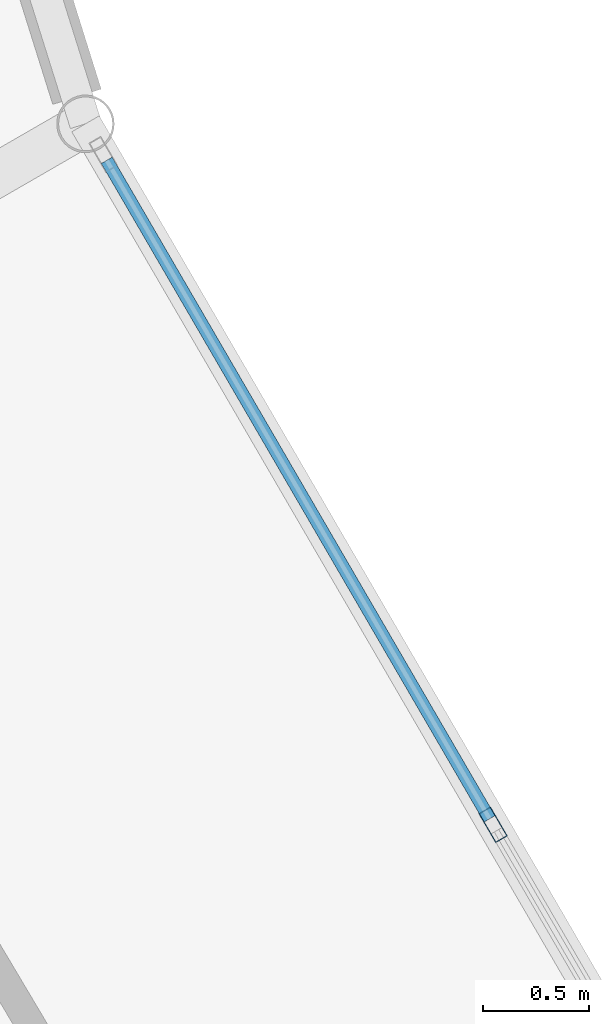
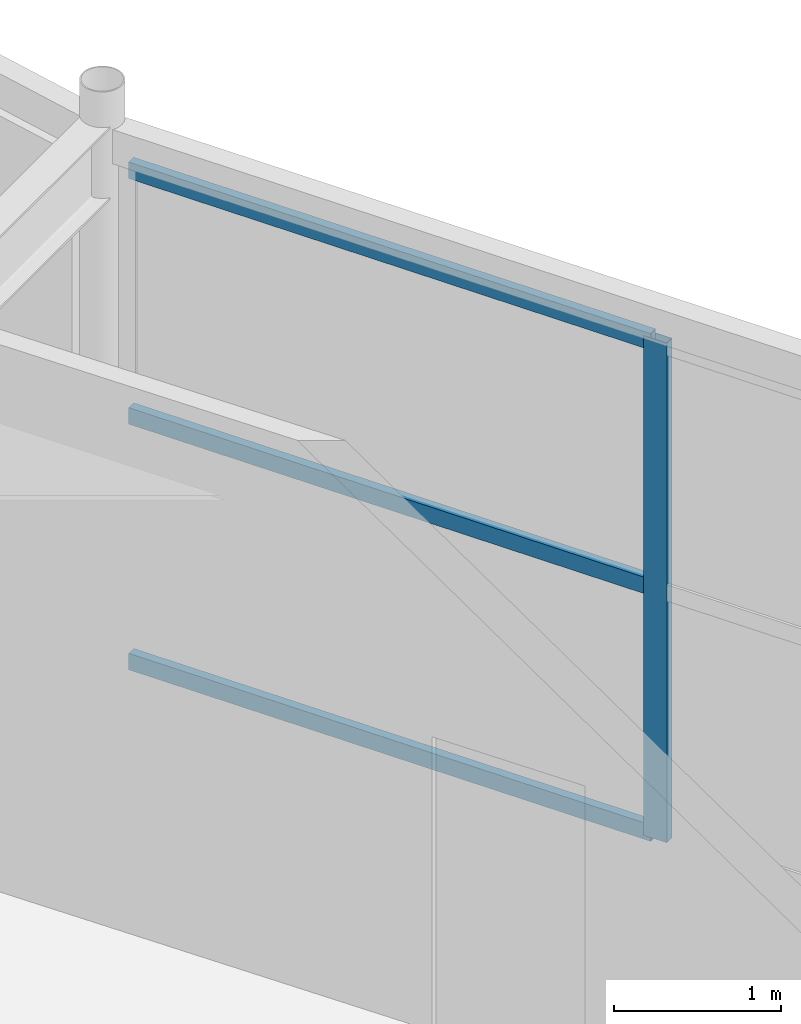
# One storey, part 28 of 147: 4 members, 1 element without a shape of its own.
"""IFC4 building model written with IfcOpenShell, lengths in metres."""

from ifc_helpers import new_model, si_unit, direction, frame, origin, origin_2d, place, context, subcontext, project, spatial, hollow_rectangle, extrude, material, material_profile, profile_set, type_object, element, aggregate, save


model = new_model("IFC4")

# Units and contexts
model_context = context("Model", 3, precision=1e-05, world=origin(), true_north=direction((0.0, 1.0)))
body_context = subcontext(model_context, "Body", "Model", "MODEL_VIEW")
ifc_project = project(units=[si_unit("LENGTHUNIT", "METRE"), si_unit("AREAUNIT", "SQUARE_METRE"), si_unit("VOLUMEUNIT", "CUBIC_METRE"), si_unit("PLANEANGLEUNIT", "RADIAN"), si_unit("MASSUNIT", "GRAM", prefix="KILO")], contexts=[model_context])

# Site, building, storey
site_placement = place(None, origin())
site = spatial("IfcSite", under=ifc_project, at=site_placement, CompositionType="ELEMENT")
building_placement = place(site_placement, origin())
building = spatial("IfcBuilding", under=site, at=building_placement, Name="Karori Crest Natural Sciences Institute", CompositionType="ELEMENT")
storey_placement = place(building_placement, frame((0.0, 0.0, 9.10009765625)))
storey = spatial("IfcBuildingStorey", under=building, at=storey_placement, Name="L02", CompositionType="ELEMENT", Elevation=9.10009765625)

# Curtain wall, members
ifc_material = material(Name="Anodised architectural aluminium 6063-T6", Category="aluminium")
curtain_wall_type = type_object("IfcCurtainWallType", Name="CWT-15", PredefinedType="NOTDEFINED", material=ifc_material)
curtain_wall_placement = place(storey_placement, origin())
curtain_wall = element("IfcCurtainWall", 1, at=curtain_wall_placement, inside=storey, type_object=curtain_wall_type, Name="Curtain wall CW-0086", PredefinedType="NOTDEFINED")
ifc_material_profile_1 = material_profile(ifc_material, hollow_rectangle(XDim=0.06494140625, YDim=0.159912109375, WallThickness=0.00390625, at=origin_2d()), Name="CWM160x65x4")
ifc_profile_set_1 = profile_set([ifc_material_profile_1], Name="Anodised architectural aluminium 6063-T6")
member_type_1 = type_object("IfcMemberType", Name="CWM-01", PredefinedType="MULLION", material=ifc_profile_set_1)
member_1_placement = place(storey_placement, frame((47.1962890625, 30.4853515625, 0.0), z_axis=(0.0, 0.0, 1.0), x_axis=(0.864484379326, 0.502659683982, 0.0)))
member_1 = element("IfcMember", 2, at=member_1_placement, type_object=member_type_1, Name="CW-0086 mullion 2", PredefinedType="MULLION", context=body_context, shape_type="SweptSolid", body=[
    extrude(hollow_rectangle(XDim=0.06494140625, YDim=0.159912109375, WallThickness=0.00390625, at=origin_2d()), origin(), (0.0, 0.0, 1.0), 3.64990234375),
])
ifc_material_profile_2 = material_profile(ifc_material, hollow_rectangle(XDim=0.06005859375, YDim=0.1201171875, WallThickness=0.00390625, at=origin_2d()), Name="CWT120x60x4")
ifc_profile_set_2 = profile_set([ifc_material_profile_2], Name="Anodised architectural aluminium 6063-T6")
member_type_2 = type_object("IfcMemberType", Name="CWT-TR1", PredefinedType="USERDEFINED", material=ifc_profile_set_2)
member_2_placement = place(storey_placement, frame((45.369384765625, 33.62744140625, 0.02978515625), z_axis=(0.502635771548, -0.864498282914, 0.0), x_axis=(0.864498282914, 0.502635771548, 0.0)))
member_2 = element("IfcMember", 3, at=member_2_placement, type_object=member_type_2, Name="CW-0086 transom 1.1", ObjectType="TRANSOM", PredefinedType="USERDEFINED", context=body_context, shape_type="SweptSolid", body=[
    extrude(hollow_rectangle(XDim=0.06005859375, YDim=0.1201171875, WallThickness=0.00390625, at=origin_2d()), origin(), (0.0, 0.0, 1.0), 3.60205078125),
])
member_3_placement = place(storey_placement, frame((45.369384765625, 33.62744140625, 1.824951171875), z_axis=(0.502635771548, -0.864498282914, 0.0), x_axis=(0.864498282914, 0.502635771548, 0.0)))
member_3 = element("IfcMember", 4, at=member_3_placement, type_object=member_type_2, Name="CW-0086 transom 1.2", ObjectType="TRANSOM", PredefinedType="USERDEFINED", context=body_context, shape_type="SweptSolid", body=[
    extrude(hollow_rectangle(XDim=0.06005859375, YDim=0.1201171875, WallThickness=0.00390625, at=origin_2d()), origin(), (0.0, 0.0, 1.0), 3.60205078125),
])
member_4_placement = place(storey_placement, frame((45.369384765625, 33.62744140625, 3.619873046875), z_axis=(0.502635771548, -0.864498282914, 0.0), x_axis=(0.864498282914, 0.502635771548, 0.0)))
member_4 = element("IfcMember", 5, at=member_4_placement, type_object=member_type_2, Name="CW-0086 transom 1.3", ObjectType="TRANSOM", PredefinedType="USERDEFINED", context=body_context, shape_type="SweptSolid", body=[
    extrude(hollow_rectangle(XDim=0.06005859375, YDim=0.1201171875, WallThickness=0.00390625, at=origin_2d()), origin(), (0.0, 0.0, 1.0), 3.60205078125),
])
aggregate(curtain_wall, [member_1, member_2, member_3, member_4])

save(model, "model.ifc")
